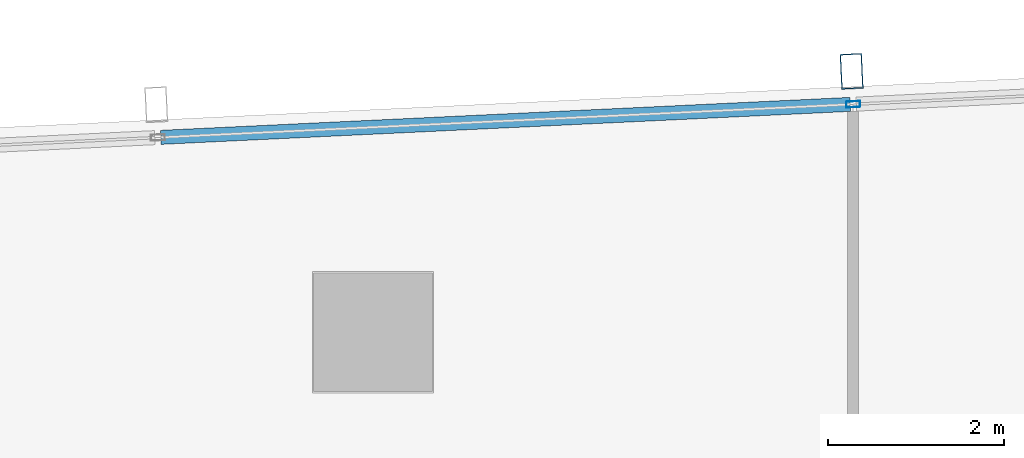
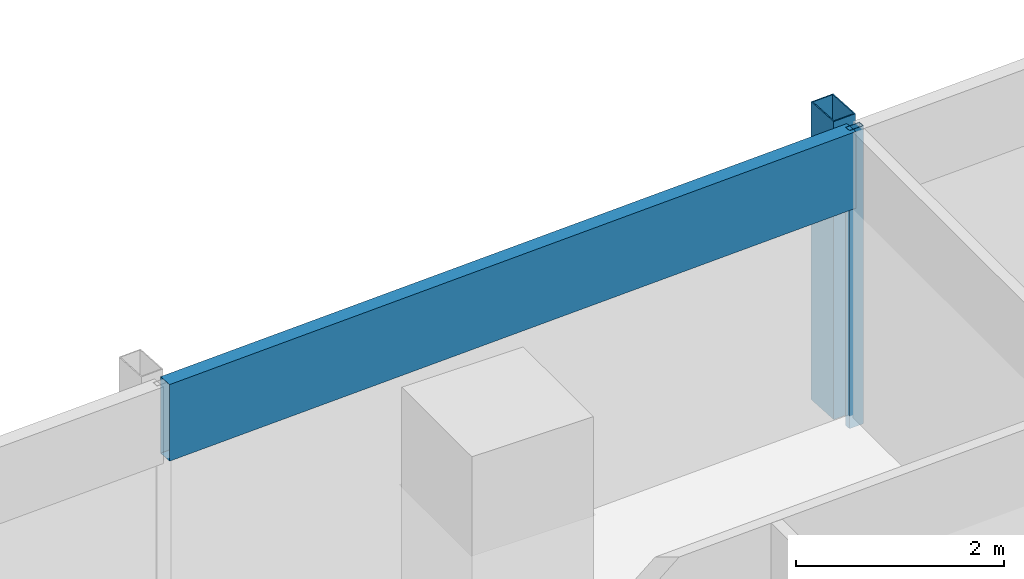
# One storey, part 19 of 38: 3 members, 1 element without a shape of its own.
"""IFC4 building model written with IfcOpenShell, lengths in metres."""

from ifc_helpers import new_model, si_unit, direction, frame, origin, origin_2d, place, context, subcontext, project, spatial, hollow_rectangle, extrude, material, material_profile, profile_set, type_object, element, aggregate, save


model = new_model("IFC4")

# Units and contexts
model_context = context("Model", 3, precision=1e-05, world=origin(), true_north=direction((0.0, 1.0)))
body_context = subcontext(model_context, "Body", "Model", "MODEL_VIEW")
ifc_project = project(units=[si_unit("LENGTHUNIT", "METRE"), si_unit("AREAUNIT", "SQUARE_METRE"), si_unit("VOLUMEUNIT", "CUBIC_METRE"), si_unit("PLANEANGLEUNIT", "RADIAN"), si_unit("MASSUNIT", "GRAM", prefix="KILO")], contexts=[model_context])

# Site, building, storey
site_placement = place(None, origin())
site = spatial("IfcSite", under=ifc_project, at=site_placement, CompositionType="ELEMENT")
building_placement = place(site_placement, origin())
building = spatial("IfcBuilding", under=site, at=building_placement, Name="Rekha Terrace Tower", CompositionType="ELEMENT")
storey_placement = place(building_placement, frame((0.0, 0.0, 195.199951171875)))
storey = spatial("IfcBuildingStorey", under=building, at=storey_placement, Name="L49", CompositionType="ELEMENT", Elevation=195.199951171875)

# Curtain wall, members
ifc_material_1 = material(Name="Aluminium framing", Category="aluminium")
curtain_wall_type = type_object("IfcCurtainWallType", Name="CW3 north unitised glazing", PredefinedType="USERDEFINED", material=ifc_material_1)
curtain_wall_placement = place(storey_placement, origin())
curtain_wall = element("IfcCurtainWall", 1, at=curtain_wall_placement, inside=storey, type_object=curtain_wall_type, Name="CW3 unitised curtain wall", ObjectType="UNITISED CURTAIN WALL", PredefinedType="USERDEFINED")
ifc_material_2 = material(Name="Steel S355 with fluorocarbon finish", Category="steel")
ifc_material_profile_1 = material_profile(ifc_material_2, hollow_rectangle(XDim=0.25, YDim=0.39990234375, WallThickness=0.012451171875, at=origin_2d()), Name="RHS400x250x12.5")
ifc_profile_set_1 = profile_set([ifc_material_profile_1], Name="Steel S355 with fluorocarbon finish")
member_type_1 = type_object("IfcMemberType", Name="BL1 facade blade RHS 400 x 250", PredefinedType="USERDEFINED", material=ifc_profile_set_1)
member_1_placement = place(storey_placement, frame((30.643310546875, 61.767578125, 0.0), z_axis=(0.0, 0.0, 1.0), x_axis=(-0.998858913274, -0.04775846913, 0.0)))
member_1 = element("IfcMember", 2, at=member_1_placement, type_object=member_type_1, Name="Facade blade", ObjectType="FACADE BLADE", PredefinedType="USERDEFINED", context=body_context, shape_type="SweptSolid", body=[
    extrude(hollow_rectangle(XDim=0.25, YDim=0.39990234375, WallThickness=0.012451171875, at=origin_2d()), origin(), (0.0, 0.0, 1.0), 3.5),
])
ifc_material_3 = material(Name="Aluminium mullion section", Category="aluminium")
ifc_material_profile_2 = material_profile(ifc_material_3, hollow_rectangle(XDim=0.070068359375, YDim=0.159912109375, WallThickness=0.00390625, at=origin_2d()), Name="AL RHS 70x160")
ifc_profile_set_2 = profile_set([ifc_material_profile_2], Name="Aluminium mullion section")
member_type_2 = type_object("IfcMemberType", Name="CW3 mullion RHS 70 x 160", PredefinedType="MULLION", material=ifc_profile_set_2)
member_2_placement = place(storey_placement, frame((30.6611328125, 61.39306640625, 0.0), z_axis=(0.0, 0.0, 1.0), x_axis=(0.047758616983, -0.998858906204, 0.0)))
member_2 = element("IfcMember", 3, at=member_2_placement, type_object=member_type_2, Name="CW3 mullion 3", PredefinedType="MULLION", context=body_context, shape_type="SweptSolid", body=[
    extrude(hollow_rectangle(XDim=0.070068359375, YDim=0.159912109375, WallThickness=0.00390625, at=origin_2d()), origin(), (0.0, 0.0, 1.0), 3.5),
])
ifc_material_4 = material(Name="Insulated aluminium spandrel box", Category="aluminium")
ifc_material_profile_3 = material_profile(ifc_material_4, hollow_rectangle(XDim=0.159912109375, YDim=0.89990234375, WallThickness=0.0029296875, at=origin_2d()), Name="AL SPANDREL BOX 160x900")
ifc_profile_set_3 = profile_set([ifc_material_profile_3], Name="Insulated aluminium spandrel box")
member_type_3 = type_object("IfcMemberType", Name="CW3 spandrel transom 160 x 900", PredefinedType="USERDEFINED", material=ifc_profile_set_3)
member_3_placement = place(storey_placement, frame((30.626220703125, 61.391357421875, 3.050048828125), z_axis=(-0.998859323292, -0.047749892907, 0.0), x_axis=(0.047749892907, -0.998859323292, 0.0)))
member_3 = element("IfcMember", 4, at=member_3_placement, type_object=member_type_3, Name="CW3 spandrel transom 3", ObjectType="TRANSOM", PredefinedType="USERDEFINED", context=body_context, shape_type="SweptSolid", body=[
    extrude(hollow_rectangle(XDim=0.159912109375, YDim=0.89990234375, WallThickness=0.0029296875, at=origin_2d()), origin(), (0.0, 0.0, 1.0), 7.848388671875),
])
aggregate(curtain_wall, [member_2, member_3, member_1])

save(model, "model.ifc")
